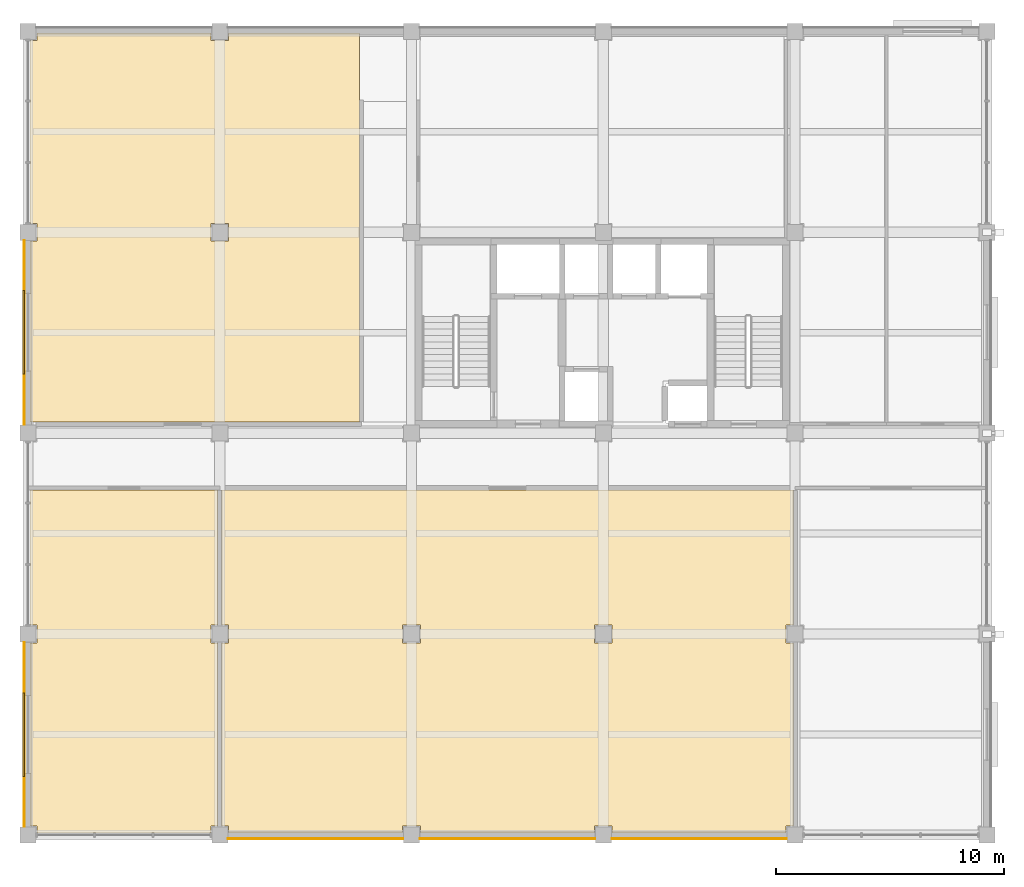
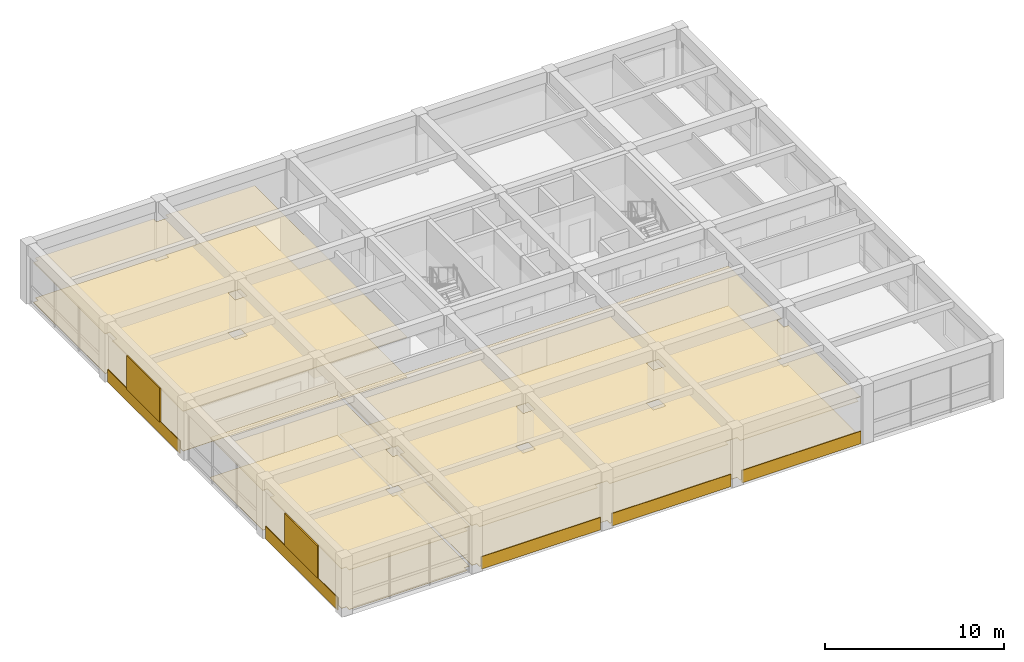
# One storey, part 10 of 14: 11 coverings, 2 shading devices.
"""IFC4 building model written with IfcOpenShell, lengths in metres."""

from ifc_helpers import new_model, si_unit, direction, frame, origin, origin_2d, place, context, subcontext, project, spatial, polyline, rectangle, outline, extrude, material, layer, layer_set, type_object, element, save


model = new_model("IFC4")

# Units and contexts
model_context = context("Model", 3, precision=1e-05, world=origin(), true_north=direction((0.0, 1.0)))
body_context = subcontext(model_context, "Body", "Model", "MODEL_VIEW")
ifc_project = project(units=[si_unit("LENGTHUNIT", "METRE"), si_unit("AREAUNIT", "SQUARE_METRE"), si_unit("VOLUMEUNIT", "CUBIC_METRE"), si_unit("PLANEANGLEUNIT", "RADIAN"), si_unit("MASSUNIT", "GRAM", prefix="KILO")], contexts=[model_context])

# Site, building, storey
site_placement = place(None, origin())
site = spatial("IfcSite", under=ifc_project, at=site_placement, CompositionType="ELEMENT")
building_placement = place(site_placement, origin())
building = spatial("IfcBuilding", under=site, at=building_placement, Name="Kemercrest Conservatory and Botanical Centre", CompositionType="ELEMENT")
storey_placement = place(building_placement, frame((0.0, 0.0, 32.800048828125)))
storey = spatial("IfcBuildingStorey", under=building, at=storey_placement, Name="L08", CompositionType="ELEMENT", Elevation=32.800048828125)

# Coverings
ifc_material_1 = material(Name="Honed limestone almasik ashlar rainscreen", Category="masonry")
ifc_layer_1 = layer(ifc_material_1, 0.0400390625)
ifc_layer_set_1 = layer_set([ifc_layer_1], Name="Honed limestone almasik ashlar rainscreen")
covering_type_1 = type_object("IfcCoveringType", Name="CV-CLD040", PredefinedType="CLADDING", material=ifc_layer_set_1)
covering_1_placement = place(storey_placement, origin())
element("IfcCovering", 1, at=covering_1_placement, inside=storey, type_object=covering_type_1, Name="Exterior stone spandrel cladding (WAL:L08:EXT-274)", PredefinedType="CLADDING", context=body_context, shape_type="SweptSolid", body=[
    extrude(outline(polyline([(142.760009765625, 87.050048828125), (142.760009765625, 87.010009765625), (150.43994140625, 87.010009765625), (150.43994140625, 87.050048828125), (142.760009765625, 87.050048828125)])), origin(), (0.0, 0.0, 1.0), 0.849853515625),
])
covering_2_placement = place(storey_placement, origin())
element("IfcCovering", 2, at=covering_2_placement, inside=storey, type_object=covering_type_1, Name="Exterior stone spandrel cladding (WAL:L08:EXT-275)", PredefinedType="CLADDING", context=body_context, shape_type="SweptSolid", body=[
    extrude(outline(polyline([(151.159912109375, 87.050048828125), (151.159912109375, 87.010009765625), (158.840087890625, 87.010009765625), (158.840087890625, 87.050048828125), (151.159912109375, 87.050048828125)])), origin(), (0.0, 0.0, 1.0), 0.849853515625),
])
covering_3_placement = place(storey_placement, origin())
element("IfcCovering", 3, at=covering_3_placement, inside=storey, type_object=covering_type_1, Name="Exterior stone spandrel cladding (WAL:L08:EXT-276)", PredefinedType="CLADDING", context=body_context, shape_type="SweptSolid", body=[
    extrude(outline(polyline([(159.56005859375, 87.050048828125), (159.56005859375, 87.010009765625), (167.239990234375, 87.010009765625), (167.239990234375, 87.050048828125), (159.56005859375, 87.050048828125)])), origin(), (0.0, 0.0, 1.0), 0.849853515625),
])
covering_4_placement = place(storey_placement, origin())
element("IfcCovering", 4, at=covering_4_placement, inside=storey, type_object=covering_type_1, Name="Exterior stone spandrel cladding (WAL:L08:EXT-284)", PredefinedType="CLADDING", context=body_context, shape_type="SweptSolid", body=[
    extrude(outline(polyline([(133.85009765625, 113.239990234375), (133.81005859375, 113.239990234375), (133.81005859375, 105.159912109375), (133.85009765625, 105.159912109375), (133.85009765625, 113.239990234375)])), origin(), (0.0, 0.0, 1.0), 0.849853515625),
])
covering_5_placement = place(storey_placement, origin())
element("IfcCovering", 5, at=covering_5_placement, inside=storey, type_object=covering_type_1, Name="Exterior stone spandrel cladding (WAL:L08:EXT-285)", PredefinedType="CLADDING", context=body_context, shape_type="SweptSolid", body=[
    extrude(outline(polyline([(133.85009765625, 95.639892578125), (133.81005859375, 95.639892578125), (133.81005859375, 87.56005859375), (133.85009765625, 87.56005859375), (133.85009765625, 95.639892578125)])), origin(), (0.0, 0.0, 1.0), 0.849853515625),
])
ifc_material_2 = material(Name="Perforated acoustic gypsum and mineral-fibre suspended ceiling", Category="gypsum")
ifc_layer_2 = layer(ifc_material_2, 0.034912109375)
ifc_layer_set_2 = layer_set([ifc_layer_2], Name="Perforated acoustic gypsum and mineral-fibre suspended ceiling")
covering_type_2 = type_object("IfcCoveringType", Name="CV-CLG035", PredefinedType="CEILING", material=ifc_layer_set_2)
covering_6_placement = place(storey_placement, frame((0.0, 0.0, 2.699951171875)))
element("IfcCovering", 6, at=covering_6_placement, inside=storey, type_object=covering_type_2, Name="Herbarium Compact Shelving Vault suspended acoustic ceiling", PredefinedType="CEILING", context=body_context, shape_type="SweptSolid", body=[
    extrude(outline(polyline([(158.81005859375, 87.590087890625), (159.590087890625, 87.590087890625), (159.590087890625, 87.280029296875), (167.2099609375, 87.280029296875), (167.2099609375, 87.590087890625), (167.52001953125, 87.590087890625), (167.52001953125, 95.610107421875), (167.2099609375, 95.610107421875), (167.2099609375, 96.389892578125), (167.52001953125, 96.389892578125), (167.52001953125, 102.320068359375), (142.47998046875, 102.320068359375), (142.47998046875, 96.389892578125), (142.7900390625, 96.389892578125), (142.7900390625, 95.610107421875), (142.47998046875, 95.610107421875), (142.47998046875, 87.590087890625), (142.7900390625, 87.590087890625), (142.7900390625, 87.280029296875), (150.409912109375, 87.280029296875), (150.409912109375, 87.590087890625), (151.18994140625, 87.590087890625), (151.18994140625, 87.280029296875), (158.81005859375, 87.280029296875), (158.81005859375, 87.590087890625)]), holes=[polyline([(158.81005859375, 96.389892578125), (159.590087890625, 96.389892578125), (159.590087890625, 95.610107421875), (158.81005859375, 95.610107421875), (158.81005859375, 96.389892578125)]), polyline([(150.409912109375, 96.389892578125), (151.18994140625, 96.389892578125), (151.18994140625, 95.610107421875), (150.409912109375, 95.610107421875), (150.409912109375, 96.389892578125)])]), origin(), (0.0, 0.0, 1.0), 0.034912109375),
])
covering_7_placement = place(storey_placement, frame((0.0, 0.0, 2.699951171875)))
element("IfcCovering", 7, at=covering_7_placement, inside=storey, type_object=covering_type_2, Name="Herbarium Digitization Laboratory suspended acoustic ceiling", PredefinedType="CEILING", context=body_context, shape_type="SweptSolid", body=[
    extrude(outline(polyline([(134.389892578125, 87.280029296875), (142.010009765625, 87.280029296875), (142.010009765625, 87.590087890625), (142.320068359375, 87.590087890625), (142.320068359375, 95.610107421875), (142.010009765625, 95.610107421875), (142.010009765625, 96.389892578125), (142.320068359375, 96.389892578125), (142.320068359375, 102.320068359375), (134.080078125, 102.320068359375), (134.080078125, 96.389892578125), (134.389892578125, 96.389892578125), (134.389892578125, 95.610107421875), (134.080078125, 95.610107421875), (134.080078125, 87.590087890625), (134.389892578125, 87.590087890625), (134.389892578125, 87.280029296875)])), origin(), (0.0, 0.0, 1.0), 0.034912109375),
])
covering_8_placement = place(storey_placement, frame((0.0, 0.0, 2.699951171875)))
element("IfcCovering", 8, at=covering_8_placement, inside=storey, type_object=covering_type_2, Name="Herbarium Archival Vault suspended acoustic ceiling", PredefinedType="CEILING", context=body_context, shape_type="SweptSolid", body=[
    extrude(outline(polyline([(134.389892578125, 113.2099609375), (134.080078125, 113.2099609375), (134.080078125, 105.280029296875), (148.52001953125, 105.280029296875), (148.52001953125, 122.320068359375), (142.7900390625, 122.320068359375), (142.7900390625, 122.010009765625), (142.010009765625, 122.010009765625), (142.010009765625, 122.320068359375), (134.389892578125, 122.320068359375), (134.389892578125, 122.010009765625), (134.080078125, 122.010009765625), (134.080078125, 113.989990234375), (134.389892578125, 113.989990234375), (134.389892578125, 113.2099609375)]), holes=[polyline([(142.010009765625, 113.989990234375), (142.7900390625, 113.989990234375), (142.7900390625, 113.2099609375), (142.010009765625, 113.2099609375), (142.010009765625, 113.989990234375)])]), origin(), (0.0, 0.0, 1.0), 0.034912109375),
])
ifc_material_3 = material(Name="Polished limestone terrazzo and seamless laboratory epoxy flooring", Category="masonry")
ifc_layer_3 = layer(ifc_material_3, 0.02001953125)
ifc_layer_set_3 = layer_set([ifc_layer_3], Name="Polished limestone terrazzo and seamless laboratory epoxy flooring")
covering_type_3 = type_object("IfcCoveringType", Name="CV-FLR020", PredefinedType="FLOORING", material=ifc_layer_set_3)
covering_9_placement = place(storey_placement, origin())
element("IfcCovering", 9, at=covering_9_placement, inside=storey, type_object=covering_type_3, Name="Herbarium Compact Shelving Vault floor finish", PredefinedType="FLOORING", context=body_context, shape_type="SweptSolid", body=[
    extrude(outline(polyline([(158.81005859375, 87.590087890625), (159.590087890625, 87.590087890625), (159.590087890625, 87.280029296875), (167.2099609375, 87.280029296875), (167.2099609375, 87.590087890625), (167.52001953125, 87.590087890625), (167.52001953125, 95.610107421875), (167.2099609375, 95.610107421875), (167.2099609375, 96.389892578125), (167.52001953125, 96.389892578125), (167.52001953125, 102.320068359375), (142.47998046875, 102.320068359375), (142.47998046875, 96.389892578125), (142.7900390625, 96.389892578125), (142.7900390625, 95.610107421875), (142.47998046875, 95.610107421875), (142.47998046875, 87.590087890625), (142.7900390625, 87.590087890625), (142.7900390625, 87.280029296875), (150.409912109375, 87.280029296875), (150.409912109375, 87.590087890625), (151.18994140625, 87.590087890625), (151.18994140625, 87.280029296875), (158.81005859375, 87.280029296875), (158.81005859375, 87.590087890625)]), holes=[polyline([(158.81005859375, 96.389892578125), (159.590087890625, 96.389892578125), (159.590087890625, 95.610107421875), (158.81005859375, 95.610107421875), (158.81005859375, 96.389892578125)]), polyline([(150.409912109375, 96.389892578125), (151.18994140625, 96.389892578125), (151.18994140625, 95.610107421875), (150.409912109375, 95.610107421875), (150.409912109375, 96.389892578125)])]), origin(), (0.0, 0.0, 1.0), 0.02001953125),
])
covering_10_placement = place(storey_placement, origin())
element("IfcCovering", 10, at=covering_10_placement, inside=storey, type_object=covering_type_3, Name="Herbarium Digitization Laboratory floor finish", PredefinedType="FLOORING", context=body_context, shape_type="SweptSolid", body=[
    extrude(outline(polyline([(134.389892578125, 87.280029296875), (142.010009765625, 87.280029296875), (142.010009765625, 87.590087890625), (142.320068359375, 87.590087890625), (142.320068359375, 95.610107421875), (142.010009765625, 95.610107421875), (142.010009765625, 96.389892578125), (142.320068359375, 96.389892578125), (142.320068359375, 102.320068359375), (134.080078125, 102.320068359375), (134.080078125, 96.389892578125), (134.389892578125, 96.389892578125), (134.389892578125, 95.610107421875), (134.080078125, 95.610107421875), (134.080078125, 87.590087890625), (134.389892578125, 87.590087890625), (134.389892578125, 87.280029296875)])), origin(), (0.0, 0.0, 1.0), 0.02001953125),
])
covering_11_placement = place(storey_placement, origin())
element("IfcCovering", 11, at=covering_11_placement, inside=storey, type_object=covering_type_3, Name="Herbarium Archival Vault floor finish", PredefinedType="FLOORING", context=body_context, shape_type="SweptSolid", body=[
    extrude(outline(polyline([(134.389892578125, 113.2099609375), (134.080078125, 113.2099609375), (134.080078125, 105.280029296875), (148.52001953125, 105.280029296875), (148.52001953125, 122.320068359375), (142.7900390625, 122.320068359375), (142.7900390625, 122.010009765625), (142.010009765625, 122.010009765625), (142.010009765625, 122.320068359375), (134.389892578125, 122.320068359375), (134.389892578125, 122.010009765625), (134.080078125, 122.010009765625), (134.080078125, 113.989990234375), (134.389892578125, 113.989990234375), (134.389892578125, 113.2099609375)]), holes=[polyline([(142.010009765625, 113.989990234375), (142.7900390625, 113.989990234375), (142.7900390625, 113.2099609375), (142.010009765625, 113.2099609375), (142.010009765625, 113.989990234375)])]), origin(), (0.0, 0.0, 1.0), 0.02001953125),
])

# Shading devices
ifc_material_4 = material(Name="Perforated bronze-anodized aluminium", Category="aluminium")
shading_device_type_1 = type_object("IfcShadingDeviceType", Name="SH-MS01", PredefinedType="USERDEFINED", material=ifc_material_4)
shading_device_1_placement = place(storey_placement, frame((133.81201171875, 91.60009765625, 0.875), z_axis=(0.0, 0.0, 1.0), x_axis=(0.0, -1.0, 0.0)))
element("IfcShadingDevice", 12, at=shading_device_1_placement, inside=storey, type_object=shading_device_type_1, Name="Ottoman mashrabiya perforated screen SH-MS01 (WIN:L08:EXT-285)", ObjectType="MASHRABIYA SCREEN", PredefinedType="USERDEFINED", context=body_context, shape_type="SweptSolid", body=[
    extrude(rectangle(XDim=3.679931640625, YDim=0.080078125, at=origin_2d()), origin(), (0.0, 0.0, 1.0), 2.199951171875),
])
shading_device_type_2 = type_object("IfcShadingDeviceType", Name="SH-MS05", PredefinedType="USERDEFINED", material=ifc_material_4)
shading_device_2_placement = place(storey_placement, frame((133.81201171875, 109.219970703125, 0.81982421875), z_axis=(0.0, 0.0, 1.0), x_axis=(0.0, -1.0, 0.0)))
element("IfcShadingDevice", 13, at=shading_device_2_placement, inside=storey, type_object=shading_device_type_2, Name="Ottoman mashrabiya perforated screen SH-MS05 (WIN:L08:EXT-284)", ObjectType="MASHRABIYA SCREEN", PredefinedType="USERDEFINED", context=body_context, shape_type="SweptSolid", body=[
    extrude(rectangle(XDim=3.679931640625, YDim=0.080078125, at=origin_2d()), origin(), (0.0, 0.0, 1.0), 2.31005859375),
])

save(model, "model.ifc")
